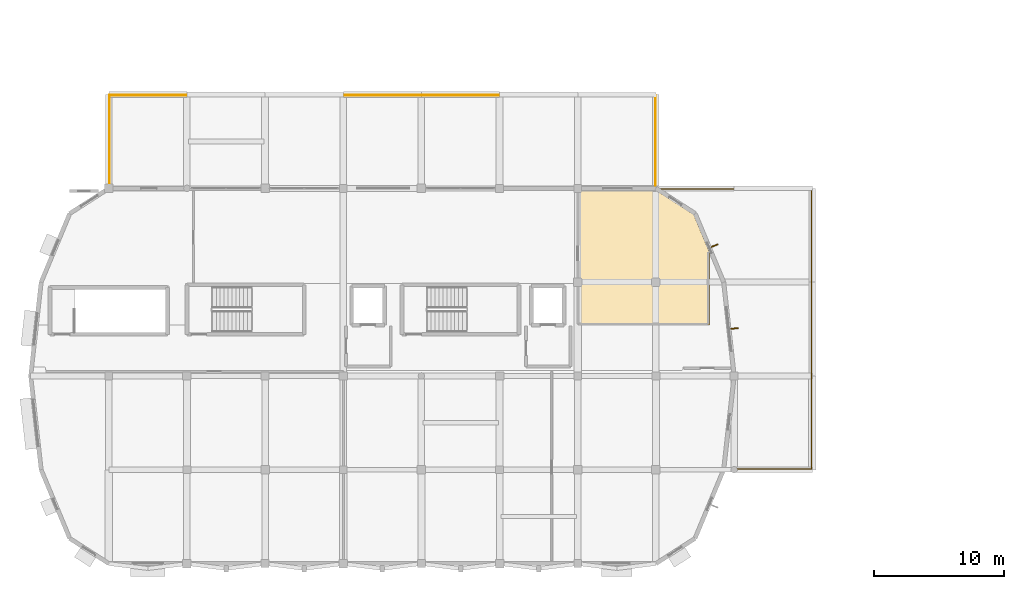
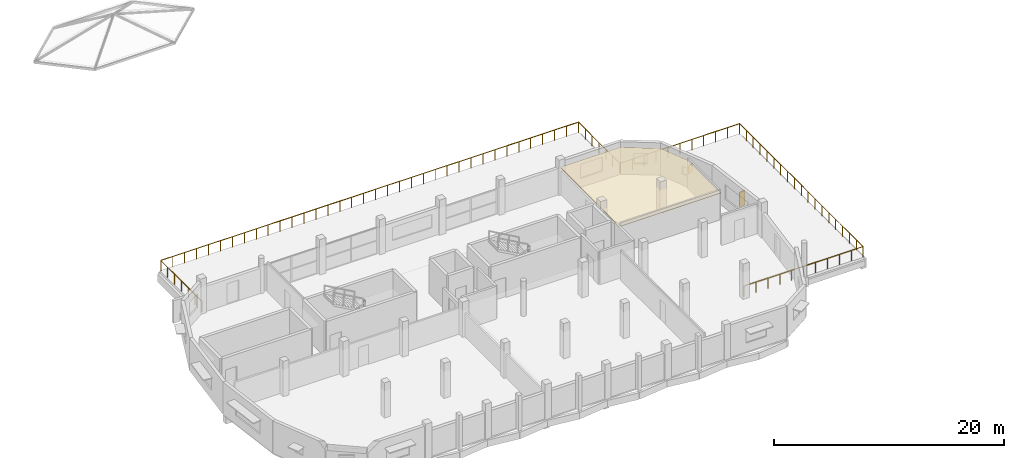
# One storey, part 18 of 19: 2 railings, 2 shading devices, 1 covering.
"""IFC4 building model written with IfcOpenShell, lengths in metres."""

from ifc_helpers import new_model, si_unit, direction, frame, origin, origin_2d, place, context, subcontext, project, spatial, polyline, rectangle, circle, outline, extrude, material, layer, layer_set, type_object, element, save


model = new_model("IFC4")

# Units and contexts
model_context = context("Model", 3, precision=1e-05, world=origin(), true_north=direction((0.0, 1.0)))
body_context = subcontext(model_context, "Body", "Model", "MODEL_VIEW")
ifc_project = project(units=[si_unit("LENGTHUNIT", "METRE"), si_unit("AREAUNIT", "SQUARE_METRE"), si_unit("VOLUMEUNIT", "CUBIC_METRE"), si_unit("PLANEANGLEUNIT", "RADIAN"), si_unit("MASSUNIT", "GRAM", prefix="KILO")], contexts=[model_context])

# Site, building, storey
site_placement = place(None, origin())
site = spatial("IfcSite", under=ifc_project, at=site_placement, CompositionType="ELEMENT")
building_placement = place(site_placement, origin())
building = spatial("IfcBuilding", under=site, at=building_placement, Name="Dunvalen Ferry Terminal", CompositionType="ELEMENT")
storey_placement = place(building_placement, frame((0.0, 0.0, 13.580078125)))
storey = spatial("IfcBuildingStorey", under=building, at=storey_placement, Name="L03", CompositionType="ELEMENT", Elevation=13.580078125)

# Railings
ifc_material_1 = material(Name="Marine grade 316 stainless steel", Category="steel")
railing_type = type_object("IfcRailingType", Name="ENV-RL-BAL112", PredefinedType="BALUSTRADE", material=ifc_material_1)
railing_1_placement = place(storey_placement, frame((60.0, 7.25, 0.0)))
element("IfcRailing", 1, at=railing_1_placement, inside=storey, type_object=railing_type, Name="L03 Outdoor Terrace Safety Guard GRD-V5L03-TERE", PredefinedType="BALUSTRADE", context=body_context, shape_type="SweptSolid", body=[
    extrude(circle(Radius=0.02392578125, at=origin_2d()), frame((0.0, 0.0, 1.09619140625), z_axis=(1.0, 0.0, 0.0), x_axis=(0.0, 1.0, 0.0)), (0.0, 0.0, 1.0), 11.949951171875),
    extrude(circle(Radius=0.02392578125, at=origin_2d()), frame((11.949951171875, 0.0, 1.09619140625), z_axis=(0.0, 1.0, 0.0), x_axis=(-1.0, 0.0, 0.0)), (0.0, 0.0, 1.0), 21.5),
    extrude(circle(Radius=0.02392578125, at=origin_2d()), frame((11.949951171875, 21.5, 1.09619140625), z_axis=(-1.0, 0.0, 0.0), x_axis=(0.0, -1.0, 0.0)), (0.0, 0.0, 1.0), 11.949951171875),
    extrude(circle(Radius=0.02099609375, at=origin_2d()), origin(), (0.0, 0.0, 1.0), 1.072021484375),
    extrude(circle(Radius=0.02099609375, at=origin_2d()), frame((1.195068359375, 0.0, 0.0)), (0.0, 0.0, 1.0), 1.072021484375),
    extrude(circle(Radius=0.02099609375, at=origin_2d()), frame((2.389892578125, 0.0, 0.0)), (0.0, 0.0, 1.0), 1.072021484375),
    extrude(circle(Radius=0.02099609375, at=origin_2d()), frame((3.5849609375, 0.0, 0.0)), (0.0, 0.0, 1.0), 1.072021484375),
    extrude(circle(Radius=0.02099609375, at=origin_2d()), frame((4.780029296875, 0.0, 0.0)), (0.0, 0.0, 1.0), 1.072021484375),
    extrude(circle(Radius=0.02099609375, at=origin_2d()), frame((5.97509765625, 0.0, 0.0)), (0.0, 0.0, 1.0), 1.072021484375),
    extrude(circle(Radius=0.02099609375, at=origin_2d()), frame((7.169921875, 0.0, 0.0)), (0.0, 0.0, 1.0), 1.072021484375),
    extrude(circle(Radius=0.02099609375, at=origin_2d()), frame((8.364990234375, 0.0, 0.0)), (0.0, 0.0, 1.0), 1.072021484375),
    extrude(circle(Radius=0.02099609375, at=origin_2d()), frame((9.56005859375, 0.0, 0.0)), (0.0, 0.0, 1.0), 1.072021484375),
    extrude(circle(Radius=0.02099609375, at=origin_2d()), frame((10.7548828125, 0.0, 0.0)), (0.0, 0.0, 1.0), 1.072021484375),
    extrude(circle(Radius=0.02099609375, at=origin_2d()), frame((11.949951171875, 0.0, 0.0)), (0.0, 0.0, 1.0), 1.072021484375),
    extrude(circle(Radius=0.02099609375, at=origin_2d()), frame((11.949951171875, 1.1943359375, 0.0)), (0.0, 0.0, 1.0), 1.072021484375),
    extrude(circle(Radius=0.02099609375, at=origin_2d()), frame((11.949951171875, 2.388916015625, 0.0)), (0.0, 0.0, 1.0), 1.072021484375),
    extrude(circle(Radius=0.02099609375, at=origin_2d()), frame((11.949951171875, 3.583251953125, 0.0)), (0.0, 0.0, 1.0), 1.072021484375),
    extrude(circle(Radius=0.02099609375, at=origin_2d()), frame((11.949951171875, 4.77783203125, 0.0)), (0.0, 0.0, 1.0), 1.072021484375),
    extrude(circle(Radius=0.02099609375, at=origin_2d()), frame((11.949951171875, 5.97216796875, 0.0)), (0.0, 0.0, 1.0), 1.072021484375),
    extrude(circle(Radius=0.02099609375, at=origin_2d()), frame((11.949951171875, 7.166748046875, 0.0)), (0.0, 0.0, 1.0), 1.072021484375),
    extrude(circle(Radius=0.02099609375, at=origin_2d()), frame((11.949951171875, 8.361083984375, 0.0)), (0.0, 0.0, 1.0), 1.072021484375),
    extrude(circle(Radius=0.02099609375, at=origin_2d()), frame((11.949951171875, 9.5556640625, 0.0)), (0.0, 0.0, 1.0), 1.072021484375),
    extrude(circle(Radius=0.02099609375, at=origin_2d()), frame((11.949951171875, 10.75, 0.0)), (0.0, 0.0, 1.0), 1.072021484375),
    extrude(circle(Radius=0.02099609375, at=origin_2d()), frame((11.949951171875, 11.9443359375, 0.0)), (0.0, 0.0, 1.0), 1.072021484375),
    extrude(circle(Radius=0.02099609375, at=origin_2d()), frame((11.949951171875, 13.138916015625, 0.0)), (0.0, 0.0, 1.0), 1.072021484375),
    extrude(circle(Radius=0.02099609375, at=origin_2d()), frame((11.949951171875, 14.333251953125, 0.0)), (0.0, 0.0, 1.0), 1.072021484375),
    extrude(circle(Radius=0.02099609375, at=origin_2d()), frame((11.949951171875, 15.52783203125, 0.0)), (0.0, 0.0, 1.0), 1.072021484375),
    extrude(circle(Radius=0.02099609375, at=origin_2d()), frame((11.949951171875, 16.72216796875, 0.0)), (0.0, 0.0, 1.0), 1.072021484375),
    extrude(circle(Radius=0.02099609375, at=origin_2d()), frame((11.949951171875, 17.916748046875, 0.0)), (0.0, 0.0, 1.0), 1.072021484375),
    extrude(circle(Radius=0.02099609375, at=origin_2d()), frame((11.949951171875, 19.111083984375, 0.0)), (0.0, 0.0, 1.0), 1.072021484375),
    extrude(circle(Radius=0.02099609375, at=origin_2d()), frame((11.949951171875, 20.3056640625, 0.0)), (0.0, 0.0, 1.0), 1.072021484375),
    extrude(circle(Radius=0.02099609375, at=origin_2d()), frame((11.949951171875, 21.5, 0.0)), (0.0, 0.0, 1.0), 1.072021484375),
    extrude(circle(Radius=0.02099609375, at=origin_2d()), frame((10.7548828125, 21.5, 0.0)), (0.0, 0.0, 1.0), 1.072021484375),
    extrude(circle(Radius=0.02099609375, at=origin_2d()), frame((9.56005859375, 21.5, 0.0)), (0.0, 0.0, 1.0), 1.072021484375),
    extrude(circle(Radius=0.02099609375, at=origin_2d()), frame((8.364990234375, 21.5, 0.0)), (0.0, 0.0, 1.0), 1.072021484375),
    extrude(circle(Radius=0.02099609375, at=origin_2d()), frame((7.169921875, 21.5, 0.0)), (0.0, 0.0, 1.0), 1.072021484375),
    extrude(circle(Radius=0.02099609375, at=origin_2d()), frame((5.97509765625, 21.5, 0.0)), (0.0, 0.0, 1.0), 1.072021484375),
    extrude(circle(Radius=0.02099609375, at=origin_2d()), frame((4.780029296875, 21.5, 0.0)), (0.0, 0.0, 1.0), 1.072021484375),
    extrude(circle(Radius=0.02099609375, at=origin_2d()), frame((3.5849609375, 21.5, 0.0)), (0.0, 0.0, 1.0), 1.072021484375),
    extrude(circle(Radius=0.02099609375, at=origin_2d()), frame((2.389892578125, 21.5, 0.0)), (0.0, 0.0, 1.0), 1.072021484375),
    extrude(circle(Radius=0.02099609375, at=origin_2d()), frame((1.195068359375, 21.5, 0.0)), (0.0, 0.0, 1.0), 1.072021484375),
    extrude(circle(Radius=0.02099609375, at=origin_2d()), frame((0.0, 21.5, 0.0)), (0.0, 0.0, 1.0), 1.072021484375),
])
railing_2_placement = place(storey_placement, frame((18.050048828125, 28.800048828125, 0.0)))
element("IfcRailing", 2, at=railing_2_placement, inside=storey, type_object=railing_type, Name="L03 Outdoor Terrace Safety Guard GRD-V5L03-TERN", PredefinedType="BALUSTRADE", context=body_context, shape_type="SweptSolid", body=[
    extrude(circle(Radius=0.02392578125, at=origin_2d()), frame((0.0, 0.0, 1.09619140625), z_axis=(0.0, 1.0, 0.0), x_axis=(-1.0, 0.0, 0.0)), (0.0, 0.0, 1.0), 7.14990234375),
    extrude(circle(Radius=0.02392578125, at=origin_2d()), frame((0.0, 7.14990234375, 1.09619140625), z_axis=(1.0, 0.0, 0.0), x_axis=(0.0, 1.0, 0.0)), (0.0, 0.0, 1.0), 41.89990234375),
    extrude(circle(Radius=0.02392578125, at=origin_2d()), frame((41.89990234375, 7.14990234375, 1.09619140625), z_axis=(0.0, -1.0, 0.0), x_axis=(1.0, 0.0, 0.0)), (0.0, 0.0, 1.0), 7.14990234375),
    extrude(circle(Radius=0.02099609375, at=origin_2d()), origin(), (0.0, 0.0, 1.0), 1.072021484375),
    extrude(circle(Radius=0.02099609375, at=origin_2d()), frame((0.0, 1.191650390625, 0.0)), (0.0, 0.0, 1.0), 1.072021484375),
    extrude(circle(Radius=0.02099609375, at=origin_2d()), frame((0.0, 2.38330078125, 0.0)), (0.0, 0.0, 1.0), 1.072021484375),
    extrude(circle(Radius=0.02099609375, at=origin_2d()), frame((0.0, 3.574951171875, 0.0)), (0.0, 0.0, 1.0), 1.072021484375),
    extrude(circle(Radius=0.02099609375, at=origin_2d()), frame((0.0, 4.7666015625, 0.0)), (0.0, 0.0, 1.0), 1.072021484375),
    extrude(circle(Radius=0.02099609375, at=origin_2d()), frame((0.0, 5.958251953125, 0.0)), (0.0, 0.0, 1.0), 1.072021484375),
    extrude(circle(Radius=0.02099609375, at=origin_2d()), frame((0.0, 7.14990234375, 0.0)), (0.0, 0.0, 1.0), 1.072021484375),
    extrude(circle(Radius=0.02099609375, at=origin_2d()), frame((1.197021484375, 7.14990234375, 0.0)), (0.0, 0.0, 1.0), 1.072021484375),
    extrude(circle(Radius=0.02099609375, at=origin_2d()), frame((2.394287109375, 7.14990234375, 0.0)), (0.0, 0.0, 1.0), 1.072021484375),
    extrude(circle(Radius=0.02099609375, at=origin_2d()), frame((3.59130859375, 7.14990234375, 0.0)), (0.0, 0.0, 1.0), 1.072021484375),
    extrude(circle(Radius=0.02099609375, at=origin_2d()), frame((4.78857421875, 7.14990234375, 0.0)), (0.0, 0.0, 1.0), 1.072021484375),
    extrude(circle(Radius=0.02099609375, at=origin_2d()), frame((5.985595703125, 7.14990234375, 0.0)), (0.0, 0.0, 1.0), 1.072021484375),
    extrude(circle(Radius=0.02099609375, at=origin_2d()), frame((7.182861328125, 7.14990234375, 0.0)), (0.0, 0.0, 1.0), 1.072021484375),
    extrude(circle(Radius=0.02099609375, at=origin_2d()), frame((8.3798828125, 7.14990234375, 0.0)), (0.0, 0.0, 1.0), 1.072021484375),
    extrude(circle(Radius=0.02099609375, at=origin_2d()), frame((9.5771484375, 7.14990234375, 0.0)), (0.0, 0.0, 1.0), 1.072021484375),
    extrude(circle(Radius=0.02099609375, at=origin_2d()), frame((10.774169921875, 7.14990234375, 0.0)), (0.0, 0.0, 1.0), 1.072021484375),
    extrude(circle(Radius=0.02099609375, at=origin_2d()), frame((11.971435546875, 7.14990234375, 0.0)), (0.0, 0.0, 1.0), 1.072021484375),
    extrude(circle(Radius=0.02099609375, at=origin_2d()), frame((13.16845703125, 7.14990234375, 0.0)), (0.0, 0.0, 1.0), 1.072021484375),
    extrude(circle(Radius=0.02099609375, at=origin_2d()), frame((14.36572265625, 7.14990234375, 0.0)), (0.0, 0.0, 1.0), 1.072021484375),
    extrude(circle(Radius=0.02099609375, at=origin_2d()), frame((15.562744140625, 7.14990234375, 0.0)), (0.0, 0.0, 1.0), 1.072021484375),
    extrude(circle(Radius=0.02099609375, at=origin_2d()), frame((16.760009765625, 7.14990234375, 0.0)), (0.0, 0.0, 1.0), 1.072021484375),
    extrude(circle(Radius=0.02099609375, at=origin_2d()), frame((17.95703125, 7.14990234375, 0.0)), (0.0, 0.0, 1.0), 1.072021484375),
    extrude(circle(Radius=0.02099609375, at=origin_2d()), frame((19.154296875, 7.14990234375, 0.0)), (0.0, 0.0, 1.0), 1.072021484375),
    extrude(circle(Radius=0.02099609375, at=origin_2d()), frame((20.351318359375, 7.14990234375, 0.0)), (0.0, 0.0, 1.0), 1.072021484375),
    extrude(circle(Radius=0.02099609375, at=origin_2d()), frame((21.548583984375, 7.14990234375, 0.0)), (0.0, 0.0, 1.0), 1.072021484375),
    extrude(circle(Radius=0.02099609375, at=origin_2d()), frame((22.74560546875, 7.14990234375, 0.0)), (0.0, 0.0, 1.0), 1.072021484375),
    extrude(circle(Radius=0.02099609375, at=origin_2d()), frame((23.94287109375, 7.14990234375, 0.0)), (0.0, 0.0, 1.0), 1.072021484375),
    extrude(circle(Radius=0.02099609375, at=origin_2d()), frame((25.139892578125, 7.14990234375, 0.0)), (0.0, 0.0, 1.0), 1.072021484375),
    extrude(circle(Radius=0.02099609375, at=origin_2d()), frame((26.337158203125, 7.14990234375, 0.0)), (0.0, 0.0, 1.0), 1.072021484375),
    extrude(circle(Radius=0.02099609375, at=origin_2d()), frame((27.5341796875, 7.14990234375, 0.0)), (0.0, 0.0, 1.0), 1.072021484375),
    extrude(circle(Radius=0.02099609375, at=origin_2d()), frame((28.7314453125, 7.14990234375, 0.0)), (0.0, 0.0, 1.0), 1.072021484375),
    extrude(circle(Radius=0.02099609375, at=origin_2d()), frame((29.928466796875, 7.14990234375, 0.0)), (0.0, 0.0, 1.0), 1.072021484375),
    extrude(circle(Radius=0.02099609375, at=origin_2d()), frame((31.125732421875, 7.14990234375, 0.0)), (0.0, 0.0, 1.0), 1.072021484375),
    extrude(circle(Radius=0.02099609375, at=origin_2d()), frame((32.32275390625, 7.14990234375, 0.0)), (0.0, 0.0, 1.0), 1.072021484375),
    extrude(circle(Radius=0.02099609375, at=origin_2d()), frame((33.52001953125, 7.14990234375, 0.0)), (0.0, 0.0, 1.0), 1.072021484375),
    extrude(circle(Radius=0.02099609375, at=origin_2d()), frame((34.717041015625, 7.14990234375, 0.0)), (0.0, 0.0, 1.0), 1.072021484375),
    extrude(circle(Radius=0.02099609375, at=origin_2d()), frame((35.914306640625, 7.14990234375, 0.0)), (0.0, 0.0, 1.0), 1.072021484375),
    extrude(circle(Radius=0.02099609375, at=origin_2d()), frame((37.111328125, 7.14990234375, 0.0)), (0.0, 0.0, 1.0), 1.072021484375),
    extrude(circle(Radius=0.02099609375, at=origin_2d()), frame((38.30859375, 7.14990234375, 0.0)), (0.0, 0.0, 1.0), 1.072021484375),
    extrude(circle(Radius=0.02099609375, at=origin_2d()), frame((39.505615234375, 7.14990234375, 0.0)), (0.0, 0.0, 1.0), 1.072021484375),
    extrude(circle(Radius=0.02099609375, at=origin_2d()), frame((40.702880859375, 7.14990234375, 0.0)), (0.0, 0.0, 1.0), 1.072021484375),
    extrude(circle(Radius=0.02099609375, at=origin_2d()), frame((41.89990234375, 7.14990234375, 0.0)), (0.0, 0.0, 1.0), 1.072021484375),
    extrude(circle(Radius=0.02099609375, at=origin_2d()), frame((41.89990234375, 5.958251953125, 0.0)), (0.0, 0.0, 1.0), 1.072021484375),
    extrude(circle(Radius=0.02099609375, at=origin_2d()), frame((41.89990234375, 4.7666015625, 0.0)), (0.0, 0.0, 1.0), 1.072021484375),
    extrude(circle(Radius=0.02099609375, at=origin_2d()), frame((41.89990234375, 3.574951171875, 0.0)), (0.0, 0.0, 1.0), 1.072021484375),
    extrude(circle(Radius=0.02099609375, at=origin_2d()), frame((41.89990234375, 2.38330078125, 0.0)), (0.0, 0.0, 1.0), 1.072021484375),
    extrude(circle(Radius=0.02099609375, at=origin_2d()), frame((41.89990234375, 1.191650390625, 0.0)), (0.0, 0.0, 1.0), 1.072021484375),
    extrude(circle(Radius=0.02099609375, at=origin_2d()), frame((41.89990234375, 0.0, 0.0)), (0.0, 0.0, 1.0), 1.072021484375),
])

# Shading devices
ifc_material_2 = material(Name="Anodised marine aluminium EN AW-6063 T6", Category="aluminium")
ifc_layer_1 = layer(ifc_material_2, 0.080078125, Name="Anodised marine aluminium EN AW-6063 T6")
ifc_layer_set_1 = layer_set([ifc_layer_1], Name="Anodised marine aluminium EN AW-6063 T6")
shading_device_type = type_object("IfcShadingDeviceType", Name="ENV-SHD-FIN01", PredefinedType="USERDEFINED", material=ifc_layer_set_1)
shading_device_1_placement = place(storey_placement, frame((66.0263671875, 18.0478515625, 0.94970703125), z_axis=(0.0, 0.0, 1.0), x_axis=(-0.110949633794, 0.99382603043, 0.0)))
element("IfcShadingDevice", 3, at=shading_device_1_placement, inside=storey, type_object=shading_device_type, Name="L03 East Solar Fin 039", ObjectType="SOLAR FIN", PredefinedType="USERDEFINED", context=body_context, shape_type="SweptSolid", body=[
    extrude(rectangle(XDim=0.080078125, YDim=0.550048828125, at=origin_2d()), origin(), (0.0, 0.0, 1.0), 1.550048828125),
])
shading_device_2_placement = place(storey_placement, frame((64.495849609375, 24.401123046875, 1.14990234375), z_axis=(0.0, 0.0, 1.0), x_axis=(-0.384620358717, 0.923074850519, 0.0)))
element("IfcShadingDevice", 4, at=shading_device_2_placement, inside=storey, type_object=shading_device_type, Name="L03 East Solar Fin 040", ObjectType="SOLAR FIN", PredefinedType="USERDEFINED", context=body_context, shape_type="SweptSolid", body=[
    extrude(rectangle(XDim=0.080078125, YDim=0.550048828125, at=origin_2d()), origin(), (0.0, 0.0, 1.0), 0.85009765625),
])

# Covering
ifc_material_3 = material(Name="Moisture-resistant mineral-fibre acoustic ceiling", Category="gypsum")
ifc_layer_2 = layer(ifc_material_3, 0.050048828125, Name="Moisture-resistant mineral-fibre acoustic ceiling")
ifc_layer_set_2 = layer_set([ifc_layer_2], Name="Moisture-resistant mineral-fibre acoustic ceiling")
covering_type = type_object("IfcCoveringType", Name="INT-COV-CLG02", PredefinedType="CEILING", material=ifc_layer_set_2)
covering_placement = place(storey_placement, frame((0.0, 0.0, 2.7998046875)))
element("IfcCovering", 5, at=covering_placement, inside=storey, type_object=covering_type, Name="L03 Pilotage Staff and Accessible Toilets Acoustic Suspended Ceiling", PredefinedType="CEILING", context=body_context, shape_type="SweptSolid", body=[
    extrude(outline(polyline([(62.8955078125, 26.783447265625), (59.9619140625, 28.669921875), (53.909912109375, 28.669921875), (53.909912109375, 18.31005859375), (64.090087890625, 18.31005859375), (64.090087890625, 23.916748046875), (62.8955078125, 26.783447265625)])), origin(), (0.0, 0.0, 1.0), 0.050048828125),
])

save(model, "model.ifc")
